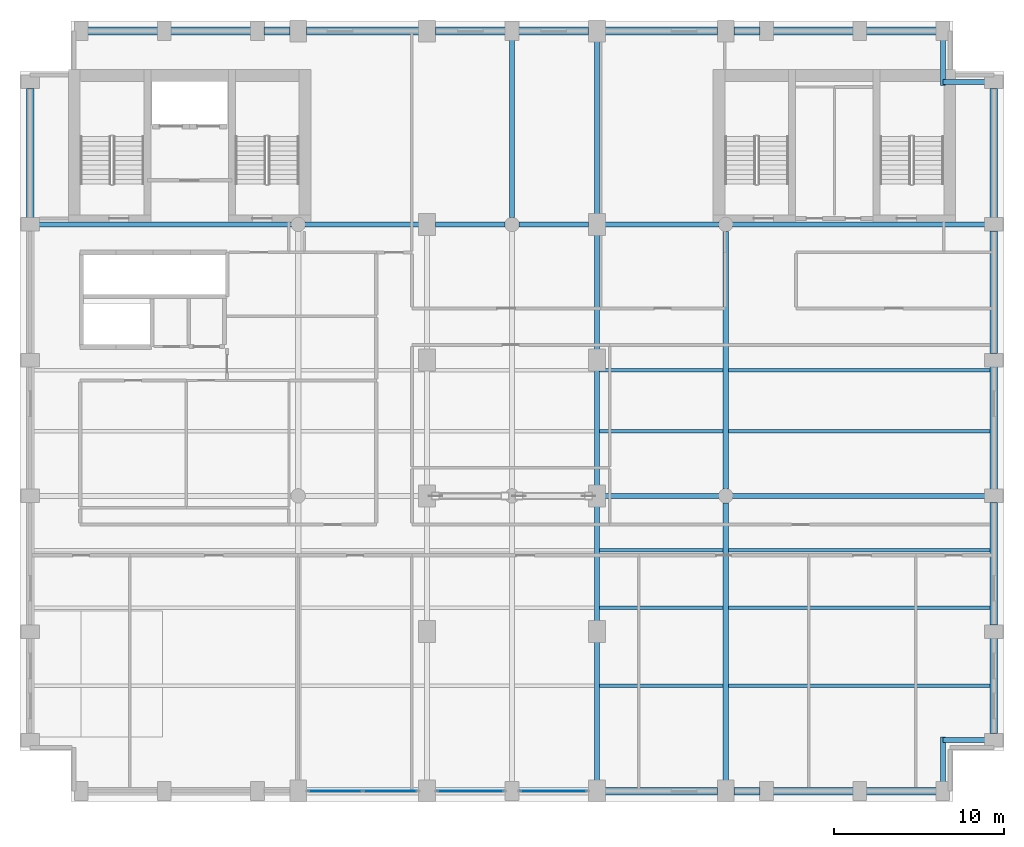
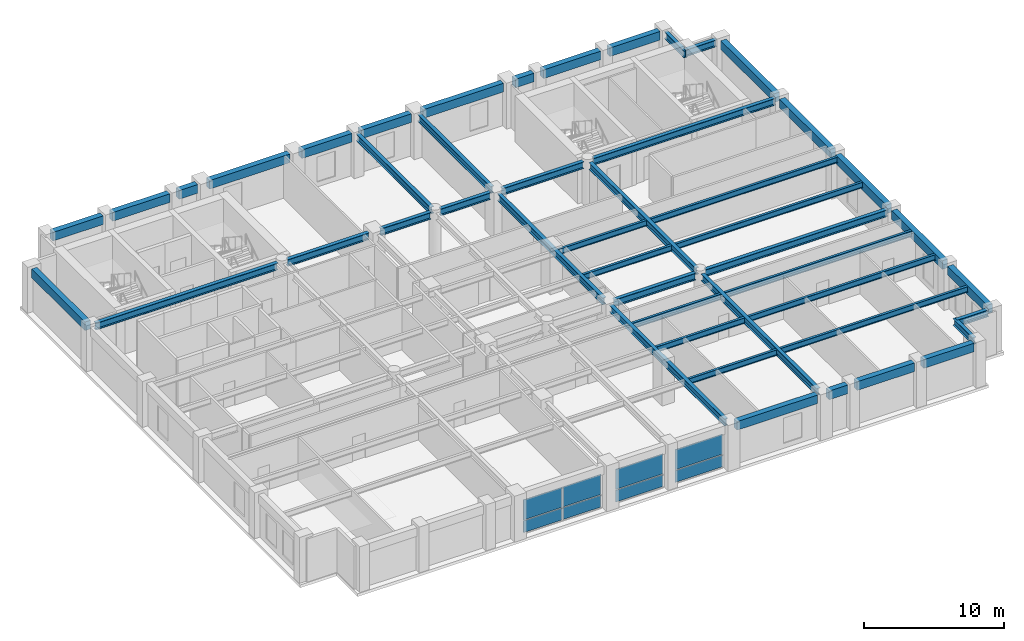
# One storey, part 3 of 13: 48 beams, 8 plates, 3 elements without a shape of their own.
"""IFC4 building model written with IfcOpenShell, lengths in metres."""

from ifc_helpers import new_model, si_unit, direction, frame, origin, origin_2d, place, context, subcontext, project, spatial, rectangle, i_section, extrude, material, layer, layer_set, material_profile, profile_set, type_object, element, aggregate, save


model = new_model("IFC4")

# Units and contexts
model_context = context("Model", 3, precision=1e-05, world=origin(), true_north=direction((0.0, 1.0)))
body_context = subcontext(model_context, "Body", "Model", "MODEL_VIEW")
ifc_project = project(units=[si_unit("LENGTHUNIT", "METRE"), si_unit("AREAUNIT", "SQUARE_METRE"), si_unit("VOLUMEUNIT", "CUBIC_METRE"), si_unit("PLANEANGLEUNIT", "RADIAN"), si_unit("MASSUNIT", "GRAM", prefix="KILO")], contexts=[model_context])

# Site, building, storey
site_placement = place(None, origin())
site = spatial("IfcSite", under=ifc_project, at=site_placement, CompositionType="ELEMENT")
building_placement = place(site_placement, origin())
building = spatial("IfcBuilding", under=site, at=building_placement, Name="Sulina Concourse Tower", CompositionType="ELEMENT")
storey_placement = place(building_placement, frame((0.0, 0.0, 202.60009765625)))
storey = spatial("IfcBuildingStorey", under=building, at=storey_placement, Name="L49", CompositionType="ELEMENT", Elevation=202.60009765625)

# Beams
ifc_material_1 = material(Name="Steel S355", Category="steel")
ifc_material_profile_1 = material_profile(ifc_material_1, i_section(OverallWidth=0.199951171875, OverallDepth=0.5, WebThickness=0.01025390625, FlangeThickness=0.01611328125, at=origin_2d()), Name="IPE 500")
ifc_profile_set_1 = profile_set([ifc_material_profile_1], Name="Steel S355")
beam_type_1 = type_object("IfcBeamType", Name="Composite Floor Joist IPE500", PredefinedType="JOIST", material=ifc_profile_set_1)
beam_1_placement = place(storey_placement, frame((34.14990234375, 6.800048828125, 3.5), z_axis=(1.0, 0.0, 0.0), x_axis=(0.0, 1.0, 0.0)))
element("IfcBeam", 1, at=beam_1_placement, inside=storey, type_object=beam_type_1, Name="FJ-J06-5-L49", PredefinedType="JOIST", context=body_context, shape_type="SweptSolid", body=[
    extrude(i_section(OverallWidth=0.199951171875, OverallDepth=0.5, WebThickness=0.01025390625, FlangeThickness=0.01611328125, at=origin_2d()), origin(), (0.0, 0.0, 1.0), 7.300048828125),
])
beam_2_placement = place(storey_placement, frame((41.75, 6.800048828125, 3.5), z_axis=(1.0, 0.0, 0.0), x_axis=(0.0, 1.0, 0.0)))
element("IfcBeam", 2, at=beam_2_placement, inside=storey, type_object=beam_type_1, Name="FJ-J06-6-L49", PredefinedType="JOIST", context=body_context, shape_type="SweptSolid", body=[
    extrude(i_section(OverallWidth=0.199951171875, OverallDepth=0.5, WebThickness=0.01025390625, FlangeThickness=0.01611328125, at=origin_2d()), origin(), (0.0, 0.0, 1.0), 15.425048828125),
])
beam_3_placement = place(storey_placement, frame((34.14990234375, 11.39990234375, 3.5), z_axis=(1.0, 0.0, 0.0), x_axis=(0.0, 1.0, 0.0)))
element("IfcBeam", 3, at=beam_3_placement, inside=storey, type_object=beam_type_1, Name="FJ-J11-5-L49", PredefinedType="JOIST", context=body_context, shape_type="SweptSolid", body=[
    extrude(i_section(OverallWidth=0.199951171875, OverallDepth=0.5, WebThickness=0.01025390625, FlangeThickness=0.01611328125, at=origin_2d()), origin(), (0.0, 0.0, 1.0), 7.300048828125),
])
beam_4_placement = place(storey_placement, frame((41.75, 11.39990234375, 3.5), z_axis=(1.0, 0.0, 0.0), x_axis=(0.0, 1.0, 0.0)))
element("IfcBeam", 4, at=beam_4_placement, inside=storey, type_object=beam_type_1, Name="FJ-J11-6-L49", PredefinedType="JOIST", context=body_context, shape_type="SweptSolid", body=[
    extrude(i_section(OverallWidth=0.199951171875, OverallDepth=0.5, WebThickness=0.01025390625, FlangeThickness=0.01611328125, at=origin_2d()), origin(), (0.0, 0.0, 1.0), 15.425048828125),
])
beam_5_placement = place(storey_placement, frame((34.14990234375, 14.800048828125, 3.5), z_axis=(1.0, 0.0, 0.0), x_axis=(0.0, 1.0, 0.0)))
element("IfcBeam", 5, at=beam_5_placement, inside=storey, type_object=beam_type_1, Name="FJ-J15-5-L49", PredefinedType="JOIST", context=body_context, shape_type="SweptSolid", body=[
    extrude(i_section(OverallWidth=0.199951171875, OverallDepth=0.5, WebThickness=0.01025390625, FlangeThickness=0.01611328125, at=origin_2d()), origin(), (0.0, 0.0, 1.0), 7.300048828125),
])
beam_6_placement = place(storey_placement, frame((41.75, 14.800048828125, 3.5), z_axis=(1.0, 0.0, 0.0), x_axis=(0.0, 1.0, 0.0)))
element("IfcBeam", 6, at=beam_6_placement, inside=storey, type_object=beam_type_1, Name="FJ-J15-6-L49", PredefinedType="JOIST", context=body_context, shape_type="SweptSolid", body=[
    extrude(i_section(OverallWidth=0.199951171875, OverallDepth=0.5, WebThickness=0.01025390625, FlangeThickness=0.01611328125, at=origin_2d()), origin(), (0.0, 0.0, 1.0), 15.425048828125),
])
beam_7_placement = place(storey_placement, frame((34.14990234375, 21.800048828125, 3.5), z_axis=(1.0, 0.0, 0.0), x_axis=(0.0, 1.0, 0.0)))
element("IfcBeam", 7, at=beam_7_placement, inside=storey, type_object=beam_type_1, Name="FJ-J22-5-L49", PredefinedType="JOIST", context=body_context, shape_type="SweptSolid", body=[
    extrude(i_section(OverallWidth=0.199951171875, OverallDepth=0.5, WebThickness=0.01025390625, FlangeThickness=0.01611328125, at=origin_2d()), origin(), (0.0, 0.0, 1.0), 7.300048828125),
])
beam_8_placement = place(storey_placement, frame((41.75, 21.800048828125, 3.5), z_axis=(1.0, 0.0, 0.0), x_axis=(0.0, 1.0, 0.0)))
element("IfcBeam", 8, at=beam_8_placement, inside=storey, type_object=beam_type_1, Name="FJ-J22-6-L49", PredefinedType="JOIST", context=body_context, shape_type="SweptSolid", body=[
    extrude(i_section(OverallWidth=0.199951171875, OverallDepth=0.5, WebThickness=0.01025390625, FlangeThickness=0.01611328125, at=origin_2d()), origin(), (0.0, 0.0, 1.0), 15.425048828125),
])
beam_9_placement = place(storey_placement, frame((34.14990234375, 25.39990234375, 3.5), z_axis=(1.0, 0.0, 0.0), x_axis=(0.0, 1.0, 0.0)))
element("IfcBeam", 9, at=beam_9_placement, inside=storey, type_object=beam_type_1, Name="FJ-J25-5-L49", PredefinedType="JOIST", context=body_context, shape_type="SweptSolid", body=[
    extrude(i_section(OverallWidth=0.199951171875, OverallDepth=0.5, WebThickness=0.01025390625, FlangeThickness=0.01611328125, at=origin_2d()), origin(), (0.0, 0.0, 1.0), 7.300048828125),
])
beam_10_placement = place(storey_placement, frame((41.75, 25.39990234375, 3.5), z_axis=(1.0, 0.0, 0.0), x_axis=(0.0, 1.0, 0.0)))
element("IfcBeam", 10, at=beam_10_placement, inside=storey, type_object=beam_type_1, Name="FJ-J25-6-L49", PredefinedType="JOIST", context=body_context, shape_type="SweptSolid", body=[
    extrude(i_section(OverallWidth=0.199951171875, OverallDepth=0.5, WebThickness=0.01025390625, FlangeThickness=0.01611328125, at=origin_2d()), origin(), (0.0, 0.0, 1.0), 15.425048828125),
])
ifc_material_2 = material(Name="Steel S355", Category="steel")
ifc_material_profile_2 = material_profile(ifc_material_2, i_section(OverallWidth=0.300048828125, OverallDepth=0.60009765625, WebThickness=0.015380859375, FlangeThickness=0.030029296875, at=origin_2d()), Name="HE 600 B")
ifc_profile_set_2 = profile_set([ifc_material_profile_2], Name="Steel S355")
beam_type_2 = type_object("IfcBeamType", Name="Floor Primary Girder Zone 3 HE600B", PredefinedType="BEAM", material=ifc_profile_set_2)
for number, where, z_axis, x_axis, name in (
    (11, (54.39990234375, 3.60009765625, 3.449951171875), (1.0, 0.0, 0.0), (0.0, 1.0, 0.0), "TIE-SE-L49"),
    (12, (54.39990234375, 42.39990234375, 3.449951171875), (1.0, 0.0, 0.0), (0.0, 1.0, 0.0), "TIE-NE-L49"),
):
    element("IfcBeam", number, at=place(storey_placement, frame(where, z_axis=z_axis, x_axis=x_axis)), inside=storey, type_object=beam_type_2, Name=name, PredefinedType="BEAM", context=body_context, shape_type="SweptSolid", body=[
        extrude(i_section(OverallWidth=0.300048828125, OverallDepth=0.60009765625, WebThickness=0.015380859375, FlangeThickness=0.030029296875, at=origin_2d()), origin(), (0.0, 0.0, 1.0), 2.6201171875),
    ])
for number, where, z_axis, x_axis, name in (
    (13, (54.39990234375, 0.97998046875, 3.449951171875), (0.0, 1.0, 0.0), (-1.0, 0.0, 0.0), "TIE-SES-L49"),
    (14, (54.39990234375, 42.199951171875, 3.449951171875), (0.0, 1.0, 0.0), (-1.0, 0.0, 0.0), "TIE-NEN-L49"),
):
    element("IfcBeam", number, at=place(storey_placement, frame(where, z_axis=z_axis, x_axis=x_axis)), inside=storey, type_object=beam_type_2, Name=name, PredefinedType="BEAM", context=body_context, shape_type="SweptSolid", body=[
        extrude(i_section(OverallWidth=0.300048828125, OverallDepth=0.60009765625, WebThickness=0.015380859375, FlangeThickness=0.030029296875, at=origin_2d()), origin(), (0.0, 0.0, 1.0), 2.820068359375),
    ])
beam_11_placement = place(storey_placement, frame((34.47998046875, 18.0, 3.449951171875), z_axis=(1.0, 0.0, 0.0), x_axis=(0.0, 1.0, 0.0)))
element("IfcBeam", 15, at=beam_11_placement, inside=storey, type_object=beam_type_2, Name="FG-EW5-L49", PredefinedType="BEAM", context=body_context, shape_type="SweptSolid", body=[
    extrude(i_section(OverallWidth=0.300048828125, OverallDepth=0.60009765625, WebThickness=0.015380859375, FlangeThickness=0.030029296875, at=origin_2d()), origin(), (0.0, 0.0, 1.0), 6.715087890625),
])
for number, where, z_axis, x_axis, name in (
    (16, (42.0048828125, 18.0, 3.449951171875), (1.0, 0.0, 0.0), (0.0, 1.0, 0.0), "FG-EW6-L49"),
    (17, (0.97998046875, 34.0, 3.449951171875), (1.0, 0.0, 0.0), (0.0, 1.0, 0.0), "FG-EWN1-L49"),
):
    element("IfcBeam", number, at=place(storey_placement, frame(where, z_axis=z_axis, x_axis=x_axis)), inside=storey, type_object=beam_type_2, Name=name, PredefinedType="BEAM", context=body_context, shape_type="SweptSolid", body=[
        extrude(i_section(OverallWidth=0.300048828125, OverallDepth=0.60009765625, WebThickness=0.015380859375, FlangeThickness=0.030029296875, at=origin_2d()), origin(), (0.0, 0.0, 1.0), 15.01513671875),
    ])
beam_12_placement = place(storey_placement, frame((16.804931640625, 34.0, 3.449951171875), z_axis=(1.0, 0.0, 0.0), x_axis=(0.0, 1.0, 0.0)))
element("IfcBeam", 18, at=beam_12_placement, inside=storey, type_object=beam_type_2, Name="FG-EWN2-L49", PredefinedType="BEAM", context=body_context, shape_type="SweptSolid", body=[
    extrude(i_section(OverallWidth=0.300048828125, OverallDepth=0.60009765625, WebThickness=0.015380859375, FlangeThickness=0.030029296875, at=origin_2d()), origin(), (0.0, 0.0, 1.0), 6.715087890625),
])
for number, where, z_axis, x_axis, name in (
    (19, (24.47998046875, 34.0, 3.449951171875), (1.0, 0.0, 0.0), (0.0, 1.0, 0.0), "FG-EWN3-L49"),
    (20, (29.405029296875, 34.0, 3.449951171875), (1.0, 0.0, 0.0), (0.0, 1.0, 0.0), "FG-EWN4-L49"),
):
    element("IfcBeam", number, at=place(storey_placement, frame(where, z_axis=z_axis, x_axis=x_axis)), inside=storey, type_object=beam_type_2, Name=name, PredefinedType="BEAM", context=body_context, shape_type="SweptSolid", body=[
        extrude(i_section(OverallWidth=0.300048828125, OverallDepth=0.60009765625, WebThickness=0.015380859375, FlangeThickness=0.030029296875, at=origin_2d()), origin(), (0.0, 0.0, 1.0), 4.114990234375),
    ])
beam_13_placement = place(storey_placement, frame((34.47998046875, 34.0, 3.449951171875), z_axis=(1.0, 0.0, 0.0), x_axis=(0.0, 1.0, 0.0)))
element("IfcBeam", 21, at=beam_13_placement, inside=storey, type_object=beam_type_2, Name="FG-EWN5-L49", PredefinedType="BEAM", context=body_context, shape_type="SweptSolid", body=[
    extrude(i_section(OverallWidth=0.300048828125, OverallDepth=0.60009765625, WebThickness=0.015380859375, FlangeThickness=0.030029296875, at=origin_2d()), origin(), (0.0, 0.0, 1.0), 6.715087890625),
])
beam_14_placement = place(storey_placement, frame((42.0048828125, 34.0, 3.449951171875), z_axis=(1.0, 0.0, 0.0), x_axis=(0.0, 1.0, 0.0)))
element("IfcBeam", 22, at=beam_14_placement, inside=storey, type_object=beam_type_2, Name="FG-EWN6-L49", PredefinedType="BEAM", context=body_context, shape_type="SweptSolid", body=[
    extrude(i_section(OverallWidth=0.300048828125, OverallDepth=0.60009765625, WebThickness=0.015380859375, FlangeThickness=0.030029296875, at=origin_2d()), origin(), (0.0, 0.0, 1.0), 15.01513671875),
])
beam_15_placement = place(storey_placement, frame((29.0, 34.405029296875, 3.449951171875), z_axis=(0.0, 1.0, 0.0), x_axis=(-1.0, 0.0, 0.0)))
element("IfcBeam", 23, at=beam_15_placement, inside=storey, type_object=beam_type_2, Name="FG-NSC-29-L49", PredefinedType="BEAM", context=body_context, shape_type="SweptSolid", body=[
    extrude(i_section(OverallWidth=0.300048828125, OverallDepth=0.60009765625, WebThickness=0.015380859375, FlangeThickness=0.030029296875, at=origin_2d()), origin(), (0.0, 0.0, 1.0), 10.614990234375),
])
beam_16_placement = place(storey_placement, frame((34.0, 1.080078125, 3.449951171875), z_axis=(0.0, 1.0, 0.0), x_axis=(-1.0, 0.0, 0.0)))
element("IfcBeam", 24, at=beam_16_placement, inside=storey, type_object=beam_type_2, Name="FG-NSA-34-L49", PredefinedType="BEAM", context=body_context, shape_type="SweptSolid", body=[
    extrude(i_section(OverallWidth=0.300048828125, OverallDepth=0.60009765625, WebThickness=0.015380859375, FlangeThickness=0.030029296875, at=origin_2d()), origin(), (0.0, 0.0, 1.0), 16.43994140625),
])
beam_17_placement = place(storey_placement, frame((34.0, 18.47998046875, 3.449951171875), z_axis=(0.0, 1.0, 0.0), x_axis=(-1.0, 0.0, 0.0)))
element("IfcBeam", 25, at=beam_17_placement, inside=storey, type_object=beam_type_2, Name="FG-NSB-34-L49", PredefinedType="BEAM", context=body_context, shape_type="SweptSolid", body=[
    extrude(i_section(OverallWidth=0.300048828125, OverallDepth=0.60009765625, WebThickness=0.015380859375, FlangeThickness=0.030029296875, at=origin_2d()), origin(), (0.0, 0.0, 1.0), 15.0400390625),
])
beam_18_placement = place(storey_placement, frame((34.0, 34.47998046875, 3.449951171875), z_axis=(0.0, 1.0, 0.0), x_axis=(-1.0, 0.0, 0.0)))
element("IfcBeam", 26, at=beam_18_placement, inside=storey, type_object=beam_type_2, Name="FG-NSC-34-L49", PredefinedType="BEAM", context=body_context, shape_type="SweptSolid", body=[
    extrude(i_section(OverallWidth=0.300048828125, OverallDepth=0.60009765625, WebThickness=0.015380859375, FlangeThickness=0.030029296875, at=origin_2d()), origin(), (0.0, 0.0, 1.0), 10.43994140625),
])
beam_19_placement = place(storey_placement, frame((41.60009765625, 1.080078125, 3.449951171875), z_axis=(0.0, 1.0, 0.0), x_axis=(-1.0, 0.0, 0.0)))
element("IfcBeam", 27, at=beam_19_placement, inside=storey, type_object=beam_type_2, Name="FG-NSA-41-L49", PredefinedType="BEAM", context=body_context, shape_type="SweptSolid", body=[
    extrude(i_section(OverallWidth=0.300048828125, OverallDepth=0.60009765625, WebThickness=0.015380859375, FlangeThickness=0.030029296875, at=origin_2d()), origin(), (0.0, 0.0, 1.0), 16.514892578125),
])
beam_20_placement = place(storey_placement, frame((41.60009765625, 18.405029296875, 3.449951171875), z_axis=(0.0, 1.0, 0.0), x_axis=(-1.0, 0.0, 0.0)))
element("IfcBeam", 28, at=beam_20_placement, inside=storey, type_object=beam_type_2, Name="FG-NSB-41-L49", PredefinedType="BEAM", context=body_context, shape_type="SweptSolid", body=[
    extrude(i_section(OverallWidth=0.300048828125, OverallDepth=0.60009765625, WebThickness=0.015380859375, FlangeThickness=0.030029296875, at=origin_2d()), origin(), (0.0, 0.0, 1.0), 15.18994140625),
])
ifc_material_3 = material(Name="Precast concrete C50/60", Category="concrete")
ifc_material_profile_3 = material_profile(ifc_material_3, rectangle(XDim=0.449951171875, YDim=0.75, at=origin_2d()), Name="RC 450x750")
ifc_profile_set_3 = profile_set([ifc_material_profile_3], Name="Precast concrete C50/60")
beam_type_3 = type_object("IfcBeamType", Name="Upper Precast Spandrel Edge Beam 450x750", PredefinedType="BEAM", material=ifc_profile_set_3)
beam_21_placement = place(storey_placement, frame((34.47998046875, 0.60009765625, 3.375), z_axis=(1.0, 0.0, 0.0), x_axis=(0.0, 1.0, 0.0)))
element("IfcBeam", 29, at=beam_21_placement, inside=storey, type_object=beam_type_3, Name="SP-S7-L49", PredefinedType="BEAM", context=body_context, shape_type="SweptSolid", body=[
    extrude(rectangle(XDim=0.449951171875, YDim=0.75, at=origin_2d()), origin(), (0.0, 0.0, 1.0), 6.64013671875),
])
beam_22_placement = place(storey_placement, frame((42.080078125, 0.60009765625, 3.375), z_axis=(1.0, 0.0, 0.0), x_axis=(0.0, 1.0, 0.0)))
element("IfcBeam", 30, at=beam_22_placement, inside=storey, type_object=beam_type_3, Name="SP-S8-L49", PredefinedType="BEAM", context=body_context, shape_type="SweptSolid", body=[
    extrude(rectangle(XDim=0.449951171875, YDim=0.75, at=origin_2d()), origin(), (0.0, 0.0, 1.0), 1.5400390625),
])
beam_23_placement = place(storey_placement, frame((44.3798828125, 0.60009765625, 3.375), z_axis=(1.0, 0.0, 0.0), x_axis=(0.0, 1.0, 0.0)))
element("IfcBeam", 31, at=beam_23_placement, inside=storey, type_object=beam_type_3, Name="SP-S9-L49", PredefinedType="BEAM", context=body_context, shape_type="SweptSolid", body=[
    extrude(rectangle(XDim=0.449951171875, YDim=0.75, at=origin_2d()), origin(), (0.0, 0.0, 1.0), 4.740234375),
])
for number, where, z_axis, x_axis, name in (
    (32, (49.8798828125, 0.60009765625, 3.375), (1.0, 0.0, 0.0), (0.0, 1.0, 0.0), "SP-S10-L49"),
    (33, (3.97998046875, 45.39990234375, 3.375), (1.0, 0.0, 0.0), (0.0, 1.0, 0.0), "SP-N1-L49"),
):
    element("IfcBeam", number, at=place(storey_placement, frame(where, z_axis=z_axis, x_axis=x_axis)), inside=storey, type_object=beam_type_3, Name=name, PredefinedType="BEAM", context=body_context, shape_type="SweptSolid", body=[
        extrude(rectangle(XDim=0.449951171875, YDim=0.75, at=origin_2d()), origin(), (0.0, 0.0, 1.0), 4.14013671875),
    ])
beam_24_placement = place(storey_placement, frame((8.8798828125, 45.39990234375, 3.375), z_axis=(1.0, 0.0, 0.0), x_axis=(0.0, 1.0, 0.0)))
element("IfcBeam", 34, at=beam_24_placement, inside=storey, type_object=beam_type_3, Name="SP-N2-L49", PredefinedType="BEAM", context=body_context, shape_type="SweptSolid", body=[
    extrude(rectangle(XDim=0.449951171875, YDim=0.75, at=origin_2d()), origin(), (0.0, 0.0, 1.0), 4.740234375),
])
beam_25_placement = place(storey_placement, frame((14.3798828125, 45.39990234375, 3.375), z_axis=(1.0, 0.0, 0.0), x_axis=(0.0, 1.0, 0.0)))
element("IfcBeam", 35, at=beam_25_placement, inside=storey, type_object=beam_type_3, Name="SP-N3-L49", PredefinedType="BEAM", context=body_context, shape_type="SweptSolid", body=[
    extrude(rectangle(XDim=0.449951171875, YDim=0.75, at=origin_2d()), origin(), (0.0, 0.0, 1.0), 1.5400390625),
])
beam_26_placement = place(storey_placement, frame((16.8798828125, 45.39990234375, 3.375), z_axis=(1.0, 0.0, 0.0), x_axis=(0.0, 1.0, 0.0)))
element("IfcBeam", 36, at=beam_26_placement, inside=storey, type_object=beam_type_3, Name="SP-N4-L49", PredefinedType="BEAM", context=body_context, shape_type="SweptSolid", body=[
    extrude(rectangle(XDim=0.449951171875, YDim=0.75, at=origin_2d()), origin(), (0.0, 0.0, 1.0), 6.64013671875),
])
for number, where, z_axis, x_axis, name in (
    (37, (24.47998046875, 45.39990234375, 3.375), (1.0, 0.0, 0.0), (0.0, 1.0, 0.0), "SP-N5-L49"),
    (38, (29.3798828125, 45.39990234375, 3.375), (1.0, 0.0, 0.0), (0.0, 1.0, 0.0), "SP-N6-L49"),
):
    element("IfcBeam", number, at=place(storey_placement, frame(where, z_axis=z_axis, x_axis=x_axis)), inside=storey, type_object=beam_type_3, Name=name, PredefinedType="BEAM", context=body_context, shape_type="SweptSolid", body=[
        extrude(rectangle(XDim=0.449951171875, YDim=0.75, at=origin_2d()), origin(), (0.0, 0.0, 1.0), 4.14013671875),
    ])
beam_27_placement = place(storey_placement, frame((34.47998046875, 45.39990234375, 3.375), z_axis=(1.0, 0.0, 0.0), x_axis=(0.0, 1.0, 0.0)))
element("IfcBeam", 39, at=beam_27_placement, inside=storey, type_object=beam_type_3, Name="SP-N7-L49", PredefinedType="BEAM", context=body_context, shape_type="SweptSolid", body=[
    extrude(rectangle(XDim=0.449951171875, YDim=0.75, at=origin_2d()), origin(), (0.0, 0.0, 1.0), 6.64013671875),
])
beam_28_placement = place(storey_placement, frame((42.080078125, 45.39990234375, 3.375), z_axis=(1.0, 0.0, 0.0), x_axis=(0.0, 1.0, 0.0)))
element("IfcBeam", 40, at=beam_28_placement, inside=storey, type_object=beam_type_3, Name="SP-N8-L49", PredefinedType="BEAM", context=body_context, shape_type="SweptSolid", body=[
    extrude(rectangle(XDim=0.449951171875, YDim=0.75, at=origin_2d()), origin(), (0.0, 0.0, 1.0), 1.5400390625),
])
beam_29_placement = place(storey_placement, frame((44.3798828125, 45.39990234375, 3.375), z_axis=(1.0, 0.0, 0.0), x_axis=(0.0, 1.0, 0.0)))
element("IfcBeam", 41, at=beam_29_placement, inside=storey, type_object=beam_type_3, Name="SP-N9-L49", PredefinedType="BEAM", context=body_context, shape_type="SweptSolid", body=[
    extrude(rectangle(XDim=0.449951171875, YDim=0.75, at=origin_2d()), origin(), (0.0, 0.0, 1.0), 4.740234375),
])
beam_30_placement = place(storey_placement, frame((49.8798828125, 45.39990234375, 3.375), z_axis=(1.0, 0.0, 0.0), x_axis=(0.0, 1.0, 0.0)))
element("IfcBeam", 42, at=beam_30_placement, inside=storey, type_object=beam_type_3, Name="SP-N10-L49", PredefinedType="BEAM", context=body_context, shape_type="SweptSolid", body=[
    extrude(rectangle(XDim=0.449951171875, YDim=0.75, at=origin_2d()), origin(), (0.0, 0.0, 1.0), 4.14013671875),
])
beam_31_placement = place(storey_placement, frame((0.60009765625, 34.3798828125, 3.375), z_axis=(0.0, 1.0, 0.0), x_axis=(-1.0, 0.0, 0.0)))
element("IfcBeam", 43, at=beam_31_placement, inside=storey, type_object=beam_type_3, Name="SP-W5-L49", PredefinedType="BEAM", context=body_context, shape_type="SweptSolid", body=[
    extrude(rectangle(XDim=0.449951171875, YDim=0.75, at=origin_2d()), origin(), (0.0, 0.0, 1.0), 7.64013671875),
])
beam_32_placement = place(storey_placement, frame((57.39990234375, 3.97998046875, 3.375), z_axis=(0.0, 1.0, 0.0), x_axis=(-1.0, 0.0, 0.0)))
element("IfcBeam", 44, at=beam_32_placement, inside=storey, type_object=beam_type_3, Name="SP-E1-L49", PredefinedType="BEAM", context=body_context, shape_type="SweptSolid", body=[
    extrude(rectangle(XDim=0.449951171875, YDim=0.75, at=origin_2d()), origin(), (0.0, 0.0, 1.0), 5.64013671875),
])
for number, where, z_axis, x_axis, name in (
    (45, (57.39990234375, 10.3798828125, 3.375), (0.0, 1.0, 0.0), (-1.0, 0.0, 0.0), "SP-E2-L49"),
    (46, (57.39990234375, 18.3798828125, 3.375), (0.0, 1.0, 0.0), (-1.0, 0.0, 0.0), "SP-E3-L49"),
    (47, (57.39990234375, 26.3798828125, 3.375), (0.0, 1.0, 0.0), (-1.0, 0.0, 0.0), "SP-E4-L49"),
):
    element("IfcBeam", number, at=place(storey_placement, frame(where, z_axis=z_axis, x_axis=x_axis)), inside=storey, type_object=beam_type_3, Name=name, PredefinedType="BEAM", context=body_context, shape_type="SweptSolid", body=[
        extrude(rectangle(XDim=0.449951171875, YDim=0.75, at=origin_2d()), origin(), (0.0, 0.0, 1.0), 7.240234375),
    ])
beam_33_placement = place(storey_placement, frame((57.39990234375, 34.3798828125, 3.375), z_axis=(0.0, 1.0, 0.0), x_axis=(-1.0, 0.0, 0.0)))
element("IfcBeam", 48, at=beam_33_placement, inside=storey, type_object=beam_type_3, Name="SP-E5-L49", PredefinedType="BEAM", context=body_context, shape_type="SweptSolid", body=[
    extrude(rectangle(XDim=0.449951171875, YDim=0.75, at=origin_2d()), origin(), (0.0, 0.0, 1.0), 7.64013671875),
])

# Curtain wall, plates
ifc_material_4 = material(Name="Aluminium 6063-T6", Category="aluminium")
ifc_layer_1 = layer(ifc_material_4, 0.25)
ifc_layer_set_1 = layer_set([ifc_layer_1], Name="Aluminium 6063-T6")
curtain_wall_type = type_object("IfcCurtainWallType", Name="Upper Wind-Portal Curtain Wall System", PredefinedType="NOTDEFINED", material=ifc_layer_set_1)
curtain_wall_1_placement = place(storey_placement, origin())
curtain_wall_1 = element("IfcCurtainWall", 49, at=curtain_wall_1_placement, inside=storey, type_object=curtain_wall_type, Name="L49 glazed curtain wall S4", PredefinedType="NOTDEFINED")
ifc_material_5 = material(Name="High-wind laminated portal glazing", Category="glass")
ifc_layer_2 = layer(ifc_material_5, 0.0380859375)
ifc_layer_set_2 = layer_set([ifc_layer_2], Name="High-wind laminated portal glazing")
plate_type = type_object("IfcPlateType", Name="Upper Wind-Portal Curtain Wall System Glazed Panel 38mm", PredefinedType="CURTAIN_PANEL", material=ifc_layer_set_2)
plate_1_placement = place(storey_placement, frame((21.820068359375, 0.60009765625, 0.07470703125), z_axis=(0.0, 0.0, 1.0), x_axis=(-1.0, 0.0, 0.0)))
plate_1 = element("IfcPlate", 50, at=plate_1_placement, type_object=plate_type, Name="CW-04 panel 1.1", PredefinedType="CURTAIN_PANEL", context=body_context, shape_type="SweptSolid", body=[
    extrude(rectangle(XDim=3.159912109375, YDim=0.0380859375, at=origin_2d()), origin(), (0.0, 0.0, 1.0), 1.027587890625),
])
plate_2_placement = place(storey_placement, frame((21.820068359375, 0.60009765625, 1.177490234375), z_axis=(0.0, 0.0, 1.0), x_axis=(-1.0, 0.0, 0.0)))
plate_2 = element("IfcPlate", 51, at=plate_2_placement, type_object=plate_type, Name="CW-04 panel 1.2", PredefinedType="CURTAIN_PANEL", context=body_context, shape_type="SweptSolid", body=[
    extrude(rectangle(XDim=3.159912109375, YDim=0.0380859375, at=origin_2d()), origin(), (0.0, 0.0, 1.0), 1.74755859375),
])
plate_3_placement = place(storey_placement, frame((18.580078125, 0.60009765625, 0.07470703125), z_axis=(0.0, 0.0, 1.0), x_axis=(-1.0, 0.0, 0.0)))
plate_3 = element("IfcPlate", 52, at=plate_3_placement, type_object=plate_type, Name="CW-04 panel 2.1", PredefinedType="CURTAIN_PANEL", context=body_context, shape_type="SweptSolid", body=[
    extrude(rectangle(XDim=3.159912109375, YDim=0.0380859375, at=origin_2d()), origin(), (0.0, 0.0, 1.0), 1.027587890625),
])
plate_4_placement = place(storey_placement, frame((18.580078125, 0.60009765625, 1.177490234375), z_axis=(0.0, 0.0, 1.0), x_axis=(-1.0, 0.0, 0.0)))
plate_4 = element("IfcPlate", 53, at=plate_4_placement, type_object=plate_type, Name="CW-04 panel 2.2", PredefinedType="CURTAIN_PANEL", context=body_context, shape_type="SweptSolid", body=[
    extrude(rectangle(XDim=3.159912109375, YDim=0.0380859375, at=origin_2d()), origin(), (0.0, 0.0, 1.0), 1.74755859375),
])
aggregate(curtain_wall_1, [plate_1, plate_2, plate_3, plate_4])

curtain_wall_2_placement = place(storey_placement, origin())
curtain_wall_2 = element("IfcCurtainWall", 54, at=curtain_wall_2_placement, inside=storey, type_object=curtain_wall_type, Name="L49 glazed curtain wall S5", PredefinedType="NOTDEFINED")
plate_5_placement = place(storey_placement, frame((26.550048828125, 0.60009765625, 0.07470703125), z_axis=(0.0, 0.0, 1.0), x_axis=(-1.0, 0.0, 0.0)))
plate_5 = element("IfcPlate", 55, at=plate_5_placement, type_object=plate_type, Name="CW-04 panel 1.1", PredefinedType="CURTAIN_PANEL", context=body_context, shape_type="SweptSolid", body=[
    extrude(rectangle(XDim=3.89990234375, YDim=0.0380859375, at=origin_2d()), origin(), (0.0, 0.0, 1.0), 1.027587890625),
])
plate_6_placement = place(storey_placement, frame((26.550048828125, 0.60009765625, 1.177490234375), z_axis=(0.0, 0.0, 1.0), x_axis=(-1.0, 0.0, 0.0)))
plate_6 = element("IfcPlate", 56, at=plate_6_placement, type_object=plate_type, Name="CW-04 panel 1.2", PredefinedType="CURTAIN_PANEL", context=body_context, shape_type="SweptSolid", body=[
    extrude(rectangle(XDim=3.89990234375, YDim=0.0380859375, at=origin_2d()), origin(), (0.0, 0.0, 1.0), 1.74755859375),
])
aggregate(curtain_wall_2, [plate_5, plate_6])

curtain_wall_3_placement = place(storey_placement, origin())
curtain_wall_3 = element("IfcCurtainWall", 57, at=curtain_wall_3_placement, inside=storey, type_object=curtain_wall_type, Name="L49 glazed curtain wall S6", PredefinedType="NOTDEFINED")
plate_7_placement = place(storey_placement, frame((31.449951171875, 0.60009765625, 0.07470703125), z_axis=(0.0, 0.0, 1.0), x_axis=(-1.0, 0.0, 0.0)))
plate_7 = element("IfcPlate", 58, at=plate_7_placement, type_object=plate_type, Name="CW-04 panel 1.1", PredefinedType="CURTAIN_PANEL", context=body_context, shape_type="SweptSolid", body=[
    extrude(rectangle(XDim=3.89990234375, YDim=0.0380859375, at=origin_2d()), origin(), (0.0, 0.0, 1.0), 1.027587890625),
])
plate_8_placement = place(storey_placement, frame((31.449951171875, 0.60009765625, 1.177490234375), z_axis=(0.0, 0.0, 1.0), x_axis=(-1.0, 0.0, 0.0)))
plate_8 = element("IfcPlate", 59, at=plate_8_placement, type_object=plate_type, Name="CW-04 panel 1.2", PredefinedType="CURTAIN_PANEL", context=body_context, shape_type="SweptSolid", body=[
    extrude(rectangle(XDim=3.89990234375, YDim=0.0380859375, at=origin_2d()), origin(), (0.0, 0.0, 1.0), 1.74755859375),
])
aggregate(curtain_wall_3, [plate_7, plate_8])

save(model, "model.ifc")
